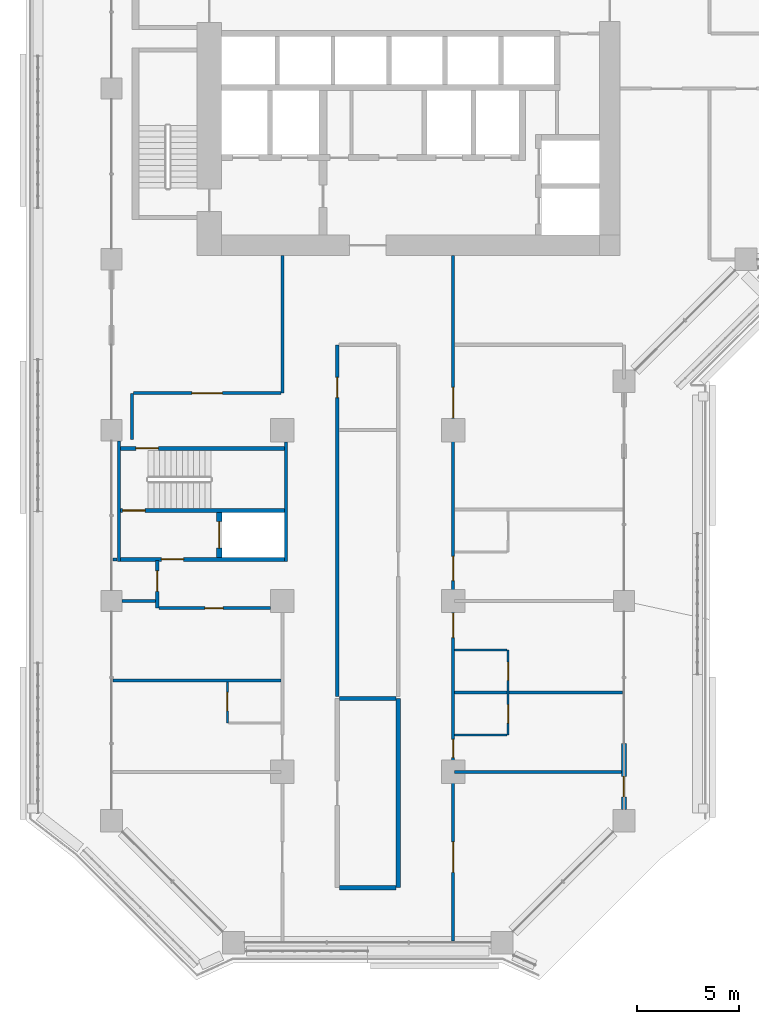
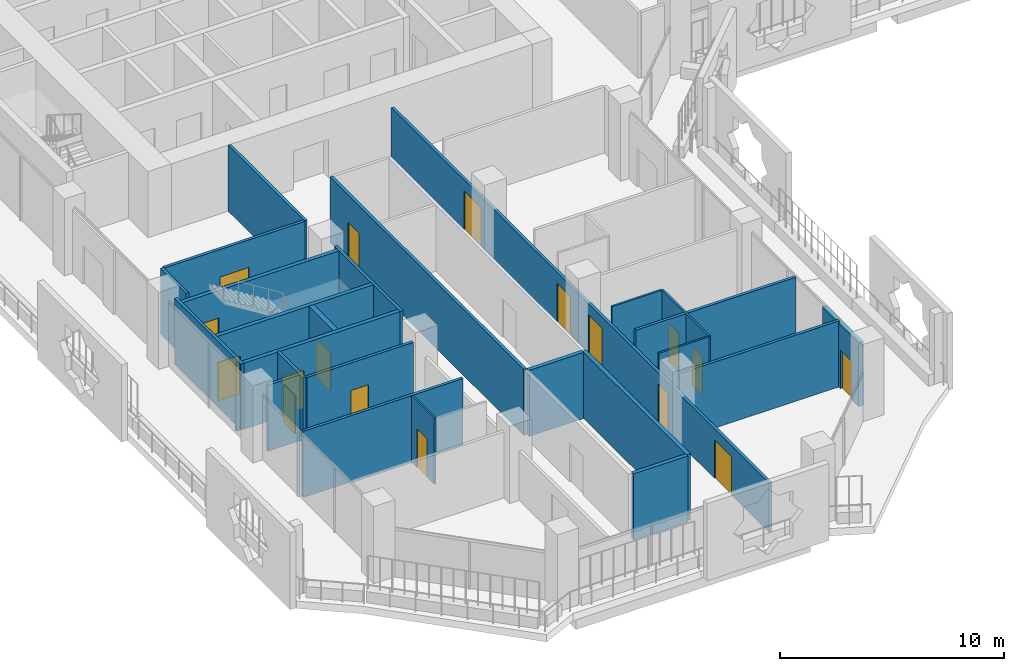
# One storey, part 12 of 25: 26 walls, 17 doors, 17 openings.
"""IFC4 building model written with IfcOpenShell, lengths in metres."""

from ifc_helpers import new_model, si_unit, direction, frame, frame_2d, origin, place, context, subcontext, project, spatial, rectangle, extrude, material, layer, layer_set, type_object, element, fill, save


model = new_model("IFC4")

# Units and contexts
model_context = context("Model", 3, precision=1e-05, world=origin(), true_north=direction((0.0, 1.0)))
body_context = subcontext(model_context, "Body", "Model", "MODEL_VIEW")
ifc_project = project(units=[si_unit("LENGTHUNIT", "METRE"), si_unit("AREAUNIT", "SQUARE_METRE"), si_unit("VOLUMEUNIT", "CUBIC_METRE"), si_unit("PLANEANGLEUNIT", "RADIAN"), si_unit("MASSUNIT", "GRAM", prefix="KILO")], contexts=[model_context])

# Site, building, storey
site_placement = place(None, origin())
site = spatial("IfcSite", under=ifc_project, at=site_placement, CompositionType="ELEMENT")
building_placement = place(site_placement, origin())
building = spatial("IfcBuilding", under=site, at=building_placement, Name="Kawkab Arch Medical Tower", CompositionType="ELEMENT")
storey_placement = place(building_placement, frame((0.0, 0.0, 128.199951171875)))
storey = spatial("IfcBuildingStorey", under=building, at=storey_placement, Name="L29", CompositionType="ELEMENT", Elevation=128.199951171875)

# Wall, opening, door
ifc_material_1 = material(Name="Concrete C60/75", Category="concrete")
ifc_layer_1 = layer(ifc_material_1, 0.25)
ifc_layer_set_1 = layer_set([ifc_layer_1], Name="Concrete C60/75")
wall_type_1 = type_object("IfcWallType", Name="Core shear wall 250 C60/75", PredefinedType="SHEAR", material=ifc_layer_set_1)
wall_1_placement = place(storey_placement, frame((5.300048828125, -39.85009765625, 0.0), z_axis=(0.0, 0.0, 1.0), x_axis=(0.0, 1.0, 0.0)))
wall_1 = element("IfcWall", 1, at=wall_1_placement, inside=storey, type_object=wall_type_1, Name="L29 core shear wall", PredefinedType="SHEAR", context=body_context, shape_type="SweptSolid", body=[
    extrude(rectangle(XDim=2.2001953125, YDim=0.25, at=frame_2d((1.10009765625, 0.0))), origin(), (0.0, 0.0, 1.0), 3.60009765625),
])
opening_1_placement = place(wall_1_placement, frame((0.449951171875, 0.0, 0.0)))
opening_1 = element("IfcOpeningElement", 2, at=opening_1_placement, cuts=wall_1, Name="Opening LD2", PredefinedType="OPENING", context=body_context, shape_type="SweptSolid", body=[
    extrude(rectangle(XDim=1.300048828125, YDim=2.10009765625, at=frame_2d((0.64990234375, 1.050048828125))), frame((0.0, 0.135009765625, 0.0), z_axis=(0.0, -1.0, 0.0), x_axis=(1.0, 0.0, 0.0)), (0.0, 0.0, 1.0), 0.27001953125),
])
ifc_material_2 = material(Name="Stainless steel lift door leaf", Category="steel")
door_type_1 = type_object("IfcDoorType", Name="Lift landing door 1300", OperationType="DOUBLE_DOOR_SLIDING", PredefinedType="DOOR", material=ifc_material_2)
door_1_placement = place(opening_1_placement, origin())
door_1 = element("IfcDoor", 3, at=door_1_placement, inside=storey, type_object=door_type_1, Name="L29 Lift landing door SV2", OperationType="DOUBLE_DOOR_SLIDING", OverallHeight=2.10009765625, OverallWidth=1.300048828125, PredefinedType="DOOR", context=body_context, shape_type="SweptSolid", body=[
    extrude(rectangle(XDim=1.300048828125, YDim=2.10009765625, at=frame_2d((0.64990234375, 1.050048828125))), frame((0.0, 0.02490234375, 0.0), z_axis=(0.0, -1.0, 0.0), x_axis=(1.0, 0.0, 0.0)), (0.0, 0.0, 1.0), 0.050048828125),
])
fill(opening_1, door_1)

ifc_material_3 = material(Name="Bronze clad insulated wall panel")
ifc_layer_2 = layer(ifc_material_3, 0.25)
ifc_layer_set_2 = layer_set([ifc_layer_2], Name="Bronze clad insulated wall panel")
wall_type_2 = type_object("IfcWallType", Name="External wall bay 250", PredefinedType="SOLIDWALL", material=ifc_layer_set_2)
wall_2_placement = place(storey_placement, frame((25.199951171875, -52.25, 0.0), z_axis=(0.0, 0.0, 1.0), x_axis=(0.0, 1.0, 0.0)))
wall_2 = element("IfcWall", 4, at=wall_2_placement, inside=storey, type_object=wall_type_2, Name="External wall bay L29.R05.1.1", PredefinedType="SOLIDWALL", context=body_context, shape_type="SweptSolid", body=[
    extrude(rectangle(XDim=3.24169921875, YDim=0.25, at=frame_2d((1.620849609375, 0.0))), origin(), (0.0, 0.0, 1.0), 3.47998046875),
])
opening_2_placement = place(wall_2_placement, frame((0.620849609375, 0.0, 0.0)))
opening_2 = element("IfcOpeningElement", 5, at=opening_2_placement, cuts=wall_2, Name="Opening W29-702", PredefinedType="OPENING", context=body_context, shape_type="SweptSolid", body=[
    extrude(rectangle(XDim=1.0, YDim=2.10009765625, at=frame_2d((0.5, 1.050048828125))), frame((0.0, 0.135009765625, 0.0), z_axis=(0.0, -1.0, 0.0), x_axis=(1.0, 0.0, 0.0)), (0.0, 0.0, 1.0), 0.27001953125),
])
ifc_material_4 = material(Name="Bronze anodised aluminium door with tinted glass", Category="aluminium")
door_type_2 = type_object("IfcDoorType", Name="Single external door 1000 x 2100", OperationType="SINGLE_SWING_LEFT", PredefinedType="DOOR", material=ifc_material_4)
door_2_placement = place(opening_2_placement, origin())
door_2 = element("IfcDoor", 6, at=door_2_placement, inside=storey, type_object=door_type_2, Name="External door L29.R05.1.1", OperationType="SINGLE_SWING_LEFT", OverallHeight=2.10009765625, OverallWidth=1.0, PredefinedType="DOOR", context=body_context, shape_type="SweptSolid", body=[
    extrude(rectangle(XDim=1.0, YDim=2.10009765625, at=frame_2d((0.5, 1.050048828125))), frame((0.0, 0.02490234375, 0.0), z_axis=(0.0, -1.0, 0.0), x_axis=(1.0, 0.0, 0.0)), (0.0, 0.0, 1.0), 0.050048828125),
])
fill(opening_2, door_2)

# Walls
ifc_material_5 = material(Name="Gypsum board partition on steel studs", Category="steel")
ifc_layer_3 = layer(ifc_material_5, 0.10009765625)
ifc_layer_set_3 = layer_set([ifc_layer_3], Name="Gypsum board partition on steel studs")
wall_type_3 = type_object("IfcWallType", Name="Partition 100", PredefinedType="PARTITIONING", material=ifc_layer_set_3)
for number, where, z_axis, x_axis, name in (
    (7, (16.875, -48.60009765625, 0.0), (0.0, 0.0, 1.0), (1.0, 0.0, 0.0), "Partition 100 w001"),
    (8, (16.875, -44.39990234375, 0.0), (0.0, 0.0, 1.0), (1.0, 0.0, 0.0), "Partition 100 w003"),
):
    element("IfcWall", number, at=place(storey_placement, frame(where, z_axis=z_axis, x_axis=x_axis)), inside=storey, type_object=wall_type_3, Name=name, PredefinedType="PARTITIONING", context=body_context, shape_type="SweptSolid", body=[
        extrude(rectangle(XDim=2.574951171875, YDim=0.10009765625, at=frame_2d((1.28759765625, 0.0))), origin(), (0.0, 0.0, 1.0), 3.60009765625),
    ])

# Wall, opening, door
wall_3_placement = place(storey_placement, frame((5.699951171875, -48.0, 0.0), z_axis=(0.0, 0.0, 1.0), x_axis=(0.0, 1.0, 0.0)))
wall_3 = element("IfcWall", 9, at=wall_3_placement, inside=storey, type_object=wall_type_3, Name="Partition 100 w011", PredefinedType="PARTITIONING", context=body_context, shape_type="SweptSolid", body=[
    extrude(rectangle(XDim=2.02490234375, YDim=0.10009765625, at=frame_2d((1.012451171875, 0.0))), origin(), (0.0, 0.0, 1.0), 3.60009765625),
])
opening_3_placement = place(wall_3_placement, frame((0.60009765625, 0.0, 0.0)))
opening_3 = element("IfcOpeningElement", 10, at=opening_3_placement, cuts=wall_3, Name="Opening W29-019", PredefinedType="OPENING", context=body_context, shape_type="SweptSolid", body=[
    extrude(rectangle(XDim=0.89990234375, YDim=2.10009765625, at=frame_2d((0.449951171875, 1.050048828125))), frame((0.0, 0.06005859375, 0.0), z_axis=(0.0, -1.0, 0.0), x_axis=(1.0, 0.0, 0.0)), (0.0, 0.0, 1.0), 0.1201171875),
])
ifc_material_6 = material(Name="Timber door leaf", Category="wood")
door_type_3 = type_object("IfcDoorType", Name="Single door 900x2100", OperationType="NOTDEFINED", PredefinedType="DOOR", material=ifc_material_6)
door_3_placement = place(opening_3_placement, origin())
door_3 = element("IfcDoor", 11, at=door_3_placement, inside=storey, type_object=door_type_3, Name="Door W29-019", OperationType="SINGLE_SWING_RIGHT", OverallHeight=2.10009765625, OverallWidth=0.89990234375, PredefinedType="DOOR", context=body_context, shape_type="SweptSolid", body=[
    extrude(rectangle(XDim=0.89990234375, YDim=2.10009765625, at=frame_2d((0.449951171875, 1.050048828125))), frame((0.0, 0.02490234375, 0.0), z_axis=(0.0, -1.0, 0.0), x_axis=(1.0, 0.0, 0.0)), (0.0, 0.0, 1.0), 0.050048828125),
])
fill(opening_3, door_3)

# Wall, openings, doors
wall_4_placement = place(storey_placement, frame((19.5, -48.60009765625, 0.0), z_axis=(0.0, 0.0, 1.0), x_axis=(0.0, 1.0, 0.0)))
wall_4 = element("IfcWall", 12, at=wall_4_placement, inside=storey, type_object=wall_type_3, Name="Partition 100 w012", PredefinedType="PARTITIONING", context=body_context, shape_type="SweptSolid", body=[
    extrude(rectangle(XDim=4.2001953125, YDim=0.10009765625, at=frame_2d((2.10009765625, 0.0))), origin(), (0.0, 0.0, 1.0), 3.60009765625),
])
opening_4_placement = place(wall_4_placement, frame((2.699951171875, 0.0, 0.0)))
opening_4 = element("IfcOpeningElement", 13, at=opening_4_placement, cuts=wall_4, Name="Opening W29-021", PredefinedType="OPENING", context=body_context, shape_type="SweptSolid", body=[
    extrude(rectangle(XDim=0.89990234375, YDim=2.10009765625, at=frame_2d((0.449951171875, 1.050048828125))), frame((0.0, 0.06005859375, 0.0), z_axis=(0.0, -1.0, 0.0), x_axis=(1.0, 0.0, 0.0)), (0.0, 0.0, 1.0), 0.1201171875),
])
opening_5_placement = place(wall_4_placement, frame((0.60009765625, 0.0, 0.0)))
opening_5 = element("IfcOpeningElement", 14, at=opening_5_placement, cuts=wall_4, Name="Opening W29-022", PredefinedType="OPENING", context=body_context, shape_type="SweptSolid", body=[
    extrude(rectangle(XDim=0.89990234375, YDim=2.10009765625, at=frame_2d((0.449951171875, 1.050048828125))), frame((0.0, 0.06005859375, 0.0), z_axis=(0.0, -1.0, 0.0), x_axis=(1.0, 0.0, 0.0)), (0.0, 0.0, 1.0), 0.1201171875),
])
door_4_placement = place(opening_4_placement, origin())
door_4 = element("IfcDoor", 15, at=door_4_placement, inside=storey, type_object=door_type_3, Name="Door W29-021", OperationType="SINGLE_SWING_LEFT", OverallHeight=2.10009765625, OverallWidth=0.89990234375, PredefinedType="DOOR", context=body_context, shape_type="SweptSolid", body=[
    extrude(rectangle(XDim=0.89990234375, YDim=2.10009765625, at=frame_2d((0.449951171875, 1.050048828125))), frame((0.0, 0.02490234375, 0.0), z_axis=(0.0, -1.0, 0.0), x_axis=(1.0, 0.0, 0.0)), (0.0, 0.0, 1.0), 0.050048828125),
])
fill(opening_4, door_4)
door_5_placement = place(opening_5_placement, origin())
door_5 = element("IfcDoor", 16, at=door_5_placement, inside=storey, type_object=door_type_3, Name="Door W29-022", OperationType="SINGLE_SWING_RIGHT", OverallHeight=2.10009765625, OverallWidth=0.89990234375, PredefinedType="DOOR", context=body_context, shape_type="SweptSolid", body=[
    extrude(rectangle(XDim=0.89990234375, YDim=2.10009765625, at=frame_2d((0.449951171875, 1.050048828125))), frame((0.0, 0.02490234375, 0.0), z_axis=(0.0, -1.0, 0.0), x_axis=(1.0, 0.0, 0.0)), (0.0, 0.0, 1.0), 0.050048828125),
])
fill(opening_5, door_5)

# Walls
ifc_material_7 = material(Name="Gypsum board partition on steel studs, mineral wool", Category="steel")
ifc_layer_4 = layer(ifc_material_7, 0.14990234375)
ifc_layer_set_4 = layer_set([ifc_layer_4], Name="Gypsum board partition on steel studs, mineral wool")
wall_type_4 = type_object("IfcWallType", Name="Partition 150", PredefinedType="PARTITIONING", material=ifc_layer_set_4)
for number, where, z_axis, x_axis, name in (
    (17, (16.875, -50.39990234375, 0.0), (0.0, 0.0, 1.0), (1.0, 0.0, 0.0), "Partition 150 w023"),
    (18, (16.875, -46.5, 0.0), (0.0, 0.0, 1.0), (1.0, 0.0, 0.0), "Partition 150 w024"),
):
    element("IfcWall", number, at=place(storey_placement, frame(where, z_axis=z_axis, x_axis=x_axis)), inside=storey, type_object=wall_type_4, Name=name, PredefinedType="PARTITIONING", context=body_context, shape_type="SweptSolid", body=[
        extrude(rectangle(XDim=8.2451171875, YDim=0.14990234375, at=frame_2d((4.12255859375, 0.0))), origin(), (0.0, 0.0, 1.0), 3.60009765625),
    ])
wall_5_placement = place(storey_placement, frame((0.080078125, -45.89990234375, 0.0), z_axis=(0.0, 0.0, 1.0), x_axis=(1.0, 0.0, 0.0)))
element("IfcWall", 19, at=wall_5_placement, inside=storey, type_object=wall_type_4, Name="Partition 150 w025", PredefinedType="PARTITIONING", context=body_context, shape_type="SweptSolid", body=[
    extrude(rectangle(XDim=8.244873046875, YDim=0.14990234375, at=frame_2d((4.12255859375, 0.0))), origin(), (0.0, 0.0, 1.0), 3.60009765625),
])

# Wall, opening, door
wall_6_placement = place(storey_placement, frame((2.326904296875, -42.35009765625, 0.0), z_axis=(0.0, 0.0, 1.0), x_axis=(1.0, 0.0, 0.0)))
wall_6 = element("IfcWall", 20, at=wall_6_placement, inside=storey, type_object=wall_type_4, Name="Partition 150 w026", PredefinedType="PARTITIONING", context=body_context, shape_type="SweptSolid", body=[
    extrude(rectangle(XDim=5.498046875, YDim=0.14990234375, at=frame_2d((2.7490234375, 0.0))), origin(), (0.0, 0.0, 1.0), 3.60009765625),
])
opening_6_placement = place(wall_6_placement, frame((2.260986328125, 0.0, 0.0)))
opening_6 = element("IfcOpeningElement", 21, at=opening_6_placement, cuts=wall_6, Name="Opening W29-018", PredefinedType="OPENING", context=body_context, shape_type="SweptSolid", body=[
    extrude(rectangle(XDim=0.89990234375, YDim=2.10009765625, at=frame_2d((0.449951171875, 1.050048828125))), frame((0.0, 0.0849609375, 0.0), z_axis=(0.0, -1.0, 0.0), x_axis=(1.0, 0.0, 0.0)), (0.0, 0.0, 1.0), 0.169921875),
])
door_6_placement = place(opening_6_placement, origin())
door_6 = element("IfcDoor", 22, at=door_6_placement, inside=storey, type_object=door_type_3, Name="Door W29-018", OperationType="SINGLE_SWING_LEFT", OverallHeight=2.10009765625, OverallWidth=0.89990234375, PredefinedType="DOOR", context=body_context, shape_type="SweptSolid", body=[
    extrude(rectangle(XDim=0.89990234375, YDim=2.10009765625, at=frame_2d((0.449951171875, 1.050048828125))), frame((0.0, 0.02490234375, 0.0), z_axis=(0.0, -1.0, 0.0), x_axis=(1.0, 0.0, 0.0)), (0.0, 0.0, 1.0), 0.050048828125),
])
fill(opening_6, door_6)

# Walls
wall_7_placement = place(storey_placement, frame((0.52490234375, -42.0, 0.0), z_axis=(0.0, 0.0, 1.0), x_axis=(1.0, 0.0, 0.0)))
element("IfcWall", 23, at=wall_7_placement, inside=storey, type_object=wall_type_4, Name="Partition 150 w027", PredefinedType="PARTITIONING", context=body_context, shape_type="SweptSolid", body=[
    extrude(rectangle(XDim=1.650146484375, YDim=0.14990234375, at=frame_2d((0.8251953125, 0.0))), origin(), (0.0, 0.0, 1.0), 3.60009765625),
])
wall_8_placement = place(storey_placement, frame((0.080078125, -39.949951171875, 0.0), z_axis=(0.0, 0.0, 1.0), x_axis=(1.0, 0.0, 0.0)))
element("IfcWall", 24, at=wall_8_placement, inside=storey, type_object=wall_type_4, Name="Partition 150 w029", PredefinedType="PARTITIONING", context=body_context, shape_type="SweptSolid", body=[
    extrude(rectangle(XDim=0.18994140625, YDim=0.14990234375, at=frame_2d((0.094970703125, 0.0))), origin(), (0.0, 0.0, 1.0), 3.60009765625),
])

# Wall, opening, door
wall_9_placement = place(storey_placement, frame((1.0791015625, -31.781982421875, 0.0), z_axis=(0.0, 0.0, 1.0), x_axis=(1.0, 0.0, 0.0)))
wall_9 = element("IfcWall", 25, at=wall_9_placement, inside=storey, type_object=wall_type_4, Name="Partition 150 w032", PredefinedType="PARTITIONING", context=body_context, shape_type="SweptSolid", body=[
    extrude(rectangle(XDim=7.245849609375, YDim=0.14990234375, at=frame_2d((3.623046875, 0.0))), origin(), (0.0, 0.0, 1.0), 3.60009765625),
])
opening_7_placement = place(wall_9_placement, frame((2.873046875, 0.0, 0.0)))
opening_7 = element("IfcOpeningElement", 26, at=opening_7_placement, cuts=wall_9, Name="Opening W29-005", PredefinedType="OPENING", context=body_context, shape_type="SweptSolid", body=[
    extrude(rectangle(XDim=1.5, YDim=2.10009765625, at=frame_2d((0.75, 1.050048828125))), frame((0.0, 0.0849609375, 0.0), z_axis=(0.0, -1.0, 0.0), x_axis=(1.0, 0.0, 0.0)), (0.0, 0.0, 1.0), 0.169921875),
])
ifc_material_8 = material(Name="Hollow metal door leaf")
door_type_4 = type_object("IfcDoorType", Name="Double door 1500x2100 FD30S", OperationType="NOTDEFINED", PredefinedType="DOOR", material=ifc_material_8)
door_7_placement = place(opening_7_placement, origin())
door_7 = element("IfcDoor", 27, at=door_7_placement, inside=storey, type_object=door_type_4, Name="Door W29-005", OperationType="DOUBLE_DOOR_SINGLE_SWING", OverallHeight=2.10009765625, OverallWidth=1.5, PredefinedType="DOOR", context=body_context, shape_type="SweptSolid", body=[
    extrude(rectangle(XDim=1.5, YDim=2.10009765625, at=frame_2d((0.75, 1.050048828125))), frame((0.0, 0.02490234375, 0.0), z_axis=(0.0, -1.0, 0.0), x_axis=(1.0, 0.0, 0.0)), (0.0, 0.0, 1.0), 0.050048828125),
])
fill(opening_7, door_7)

# Wall
wall_10_placement = place(storey_placement, frame((1.0, -34.048095703125, 0.0), z_axis=(0.0, 0.0, 1.0), x_axis=(0.0, 1.0, 0.0)))
element("IfcWall", 28, at=wall_10_placement, inside=storey, type_object=wall_type_4, Name="Partition 150 w051", PredefinedType="PARTITIONING", context=body_context, shape_type="SweptSolid", body=[
    extrude(rectangle(XDim=2.26318359375, YDim=0.14990234375, at=frame_2d((1.131591796875, 0.0))), origin(), (0.0, 0.0, 1.0), 3.60009765625),
])

# Wall, opening, door
wall_11_placement = place(storey_placement, frame((2.25, -42.347900390625, 0.0), z_axis=(0.0, 0.0, 1.0), x_axis=(0.0, 1.0, 0.0)))
wall_11 = element("IfcWall", 29, at=wall_11_placement, inside=storey, type_object=wall_type_4, Name="Partition 150 w052", PredefinedType="PARTITIONING", context=body_context, shape_type="SweptSolid", body=[
    extrude(rectangle(XDim=2.347900390625, YDim=0.14990234375, at=frame_2d((1.173828125, 0.0))), origin(), (0.0, 0.0, 1.0), 3.60009765625),
])
opening_8_placement = place(wall_11_placement, frame((0.822998046875, 0.0, 0.0)))
opening_8 = element("IfcOpeningElement", 30, at=opening_8_placement, cuts=wall_11, Name="Opening W29-031", PredefinedType="OPENING", context=body_context, shape_type="SweptSolid", body=[
    extrude(rectangle(XDim=1.0, YDim=2.10009765625, at=frame_2d((0.5, 1.050048828125))), frame((0.0, 0.0849609375, 0.0), z_axis=(0.0, -1.0, 0.0), x_axis=(1.0, 0.0, 0.0)), (0.0, 0.0, 1.0), 0.169921875),
])
ifc_material_9 = material(Name="Hollow metal door leaf")
door_type_5 = type_object("IfcDoorType", Name="Single door 1000x2100 FD30S", OperationType="NOTDEFINED", PredefinedType="DOOR", material=ifc_material_9)
door_8_placement = place(opening_8_placement, origin())
door_8 = element("IfcDoor", 31, at=door_8_placement, inside=storey, type_object=door_type_5, Name="Door W29-031", OperationType="SINGLE_SWING_LEFT", OverallHeight=2.10009765625, OverallWidth=1.0, PredefinedType="DOOR", context=body_context, shape_type="SweptSolid", body=[
    extrude(rectangle(XDim=1.0, YDim=2.10009765625, at=frame_2d((0.5, 1.050048828125))), frame((0.0, 0.02490234375, 0.0), z_axis=(0.0, -1.0, 0.0), x_axis=(1.0, 0.0, 0.0)), (0.0, 0.0, 1.0), 0.050048828125),
])
fill(opening_8, door_8)

# Wall
wall_12_placement = place(storey_placement, frame((8.39990234375, -31.781982421875, 0.0), z_axis=(0.0, 0.0, 1.0), x_axis=(0.0, 1.0, 0.0)))
element("IfcWall", 32, at=wall_12_placement, inside=storey, type_object=wall_type_4, Name="Partition 150 w054", PredefinedType="PARTITIONING", context=body_context, shape_type="SweptSolid", body=[
    extrude(rectangle(XDim=6.781982421875, YDim=0.14990234375, at=frame_2d((3.39111328125, 0.0))), origin(), (0.0, 0.0, 1.0), 3.60009765625),
])

# Wall, opening, door
wall_13_placement = place(storey_placement, frame((11.10009765625, -46.699951171875, 0.0), z_axis=(0.0, 0.0, 1.0), x_axis=(0.0, 1.0, 0.0)))
wall_13 = element("IfcWall", 33, at=wall_13_placement, inside=storey, type_object=wall_type_4, Name="Partition 150 w055", PredefinedType="PARTITIONING", context=body_context, shape_type="SweptSolid", body=[
    extrude(rectangle(XDim=17.300048828125, YDim=0.14990234375, at=frame_2d((8.64990234375, 0.0))), origin(), (0.0, 0.0, 1.0), 3.60009765625),
])
opening_9_placement = place(wall_13_placement, frame((14.699951171875, 0.0, 0.0)))
opening_9 = element("IfcOpeningElement", 34, at=opening_9_placement, cuts=wall_13, Name="Opening W29-032", PredefinedType="OPENING", context=body_context, shape_type="SweptSolid", body=[
    extrude(rectangle(XDim=1.0, YDim=2.10009765625, at=frame_2d((0.5, 1.050048828125))), frame((0.0, 0.0849609375, 0.0), z_axis=(0.0, -1.0, 0.0), x_axis=(1.0, 0.0, 0.0)), (0.0, 0.0, 1.0), 0.169921875),
])
door_9_placement = place(opening_9_placement, origin())
door_9 = element("IfcDoor", 35, at=door_9_placement, inside=storey, type_object=door_type_5, Name="Door W29-032", OperationType="SINGLE_SWING_LEFT", OverallHeight=2.10009765625, OverallWidth=1.0, PredefinedType="DOOR", context=body_context, shape_type="SweptSolid", body=[
    extrude(rectangle(XDim=1.0, YDim=2.10009765625, at=frame_2d((0.5, 1.050048828125))), frame((0.0, 0.02490234375, 0.0), z_axis=(0.0, -1.0, 0.0), x_axis=(1.0, 0.0, 0.0)), (0.0, 0.0, 1.0), 0.050048828125),
])
fill(opening_9, door_9)

# Wall, openings, doors
wall_14_placement = place(storey_placement, frame((16.800048828125, -58.719970703125, 0.0), z_axis=(0.0, 0.0, 1.0), x_axis=(0.0, 1.0, 0.0)))
wall_14 = element("IfcWall", 36, at=wall_14_placement, inside=storey, type_object=wall_type_4, Name="Partition 150 w057", PredefinedType="PARTITIONING", context=body_context, shape_type="SweptSolid", body=[
    extrude(rectangle(XDim=33.719970703125, YDim=0.14990234375, at=frame_2d((16.85986328125, 0.0))), origin(), (0.0, 0.0, 1.0), 2.699951171875),
])
opening_10_placement = place(wall_14_placement, frame((25.719970703125, 0.0, 0.0)))
opening_10 = element("IfcOpeningElement", 37, at=opening_10_placement, cuts=wall_14, Name="Opening W29-007", PredefinedType="OPENING", context=body_context, shape_type="SweptSolid", body=[
    extrude(rectangle(XDim=1.5, YDim=2.10009765625, at=frame_2d((0.75, 1.050048828125))), frame((0.0, 0.0849609375, 0.0), z_axis=(0.0, -1.0, 0.0), x_axis=(1.0, 0.0, 0.0)), (0.0, 0.0, 1.0), 0.169921875),
])
opening_11_placement = place(wall_14_placement, frame((17.719970703125, 0.0, 0.0)))
opening_11 = element("IfcOpeningElement", 38, at=opening_11_placement, cuts=wall_14, Name="Opening W29-046", PredefinedType="OPENING", context=body_context, shape_type="SweptSolid", body=[
    extrude(rectangle(XDim=1.199951171875, YDim=2.10009765625, at=frame_2d((0.60009765625, 1.050048828125))), frame((0.0, 0.0849609375, 0.0), z_axis=(0.0, -1.0, 0.0), x_axis=(1.0, 0.0, 0.0)), (0.0, 0.0, 1.0), 0.169921875),
])
opening_12_placement = place(wall_14_placement, frame((14.919921875, 0.0, 0.0)))
opening_12 = element("IfcOpeningElement", 39, at=opening_12_placement, cuts=wall_14, Name="Opening W29-047", PredefinedType="OPENING", context=body_context, shape_type="SweptSolid", body=[
    extrude(rectangle(XDim=1.199951171875, YDim=2.10009765625, at=frame_2d((0.60009765625, 1.050048828125))), frame((0.0, 0.0849609375, 0.0), z_axis=(0.0, -1.0, 0.0), x_axis=(1.0, 0.0, 0.0)), (0.0, 0.0, 1.0), 0.169921875),
])
opening_13_placement = place(wall_14_placement, frame((9.02001953125, 0.0, 0.0)))
opening_13 = element("IfcOpeningElement", 40, at=opening_13_placement, cuts=wall_14, Name="Opening W29-024", PredefinedType="OPENING", context=body_context, shape_type="SweptSolid", body=[
    extrude(rectangle(XDim=0.89990234375, YDim=2.10009765625, at=frame_2d((0.449951171875, 1.050048828125))), frame((0.0, 0.0849609375, 0.0), z_axis=(0.0, -1.0, 0.0), x_axis=(1.0, 0.0, 0.0)), (0.0, 0.0, 1.0), 0.169921875),
])
opening_14_placement = place(wall_14_placement, frame((3.3701171875, 0.0, 0.0)))
opening_14 = element("IfcOpeningElement", 41, at=opening_14_placement, cuts=wall_14, Name="Opening W29-008", PredefinedType="OPENING", context=body_context, shape_type="SweptSolid", body=[
    extrude(rectangle(XDim=1.5, YDim=2.10009765625, at=frame_2d((0.75, 1.050048828125))), frame((0.0, 0.0849609375, 0.0), z_axis=(0.0, -1.0, 0.0), x_axis=(1.0, 0.0, 0.0)), (0.0, 0.0, 1.0), 0.169921875),
])
door_10_placement = place(opening_10_placement, origin())
door_10 = element("IfcDoor", 42, at=door_10_placement, inside=storey, type_object=door_type_4, Name="Door W29-007", OperationType="DOUBLE_DOOR_SINGLE_SWING", OverallHeight=2.10009765625, OverallWidth=1.5, PredefinedType="DOOR", context=body_context, shape_type="SweptSolid", body=[
    extrude(rectangle(XDim=1.5, YDim=2.10009765625, at=frame_2d((0.75, 1.050048828125))), frame((0.0, 0.02490234375, 0.0), z_axis=(0.0, -1.0, 0.0), x_axis=(1.0, 0.0, 0.0)), (0.0, 0.0, 1.0), 0.050048828125),
])
fill(opening_10, door_10)
door_11_placement = place(opening_14_placement, origin())
door_11 = element("IfcDoor", 43, at=door_11_placement, inside=storey, type_object=door_type_4, Name="Door W29-008", OperationType="DOUBLE_DOOR_SINGLE_SWING", OverallHeight=2.10009765625, OverallWidth=1.5, PredefinedType="DOOR", context=body_context, shape_type="SweptSolid", body=[
    extrude(rectangle(XDim=1.5, YDim=2.10009765625, at=frame_2d((0.75, 1.050048828125))), frame((0.0, 0.02490234375, 0.0), z_axis=(0.0, -1.0, 0.0), x_axis=(1.0, 0.0, 0.0)), (0.0, 0.0, 1.0), 0.050048828125),
])
fill(opening_14, door_11)
ifc_material_10 = material(Name="Hollow metal door leaf")
door_type_6 = type_object("IfcDoorType", Name="Single door 1200x2100 FD30S", OperationType="NOTDEFINED", PredefinedType="DOOR", material=ifc_material_10)
door_12_placement = place(opening_11_placement, origin())
door_12 = element("IfcDoor", 44, at=door_12_placement, inside=storey, type_object=door_type_6, Name="Door W29-046", OperationType="SINGLE_SWING_LEFT", OverallHeight=2.10009765625, OverallWidth=1.199951171875, PredefinedType="DOOR", context=body_context, shape_type="SweptSolid", body=[
    extrude(rectangle(XDim=1.199951171875, YDim=2.10009765625, at=frame_2d((0.60009765625, 1.050048828125))), frame((0.0, 0.02490234375, 0.0), z_axis=(0.0, -1.0, 0.0), x_axis=(1.0, 0.0, 0.0)), (0.0, 0.0, 1.0), 0.050048828125),
])
fill(opening_11, door_12)
door_13_placement = place(opening_12_placement, origin())
door_13 = element("IfcDoor", 45, at=door_13_placement, inside=storey, type_object=door_type_6, Name="Door W29-047", OperationType="SINGLE_SWING_RIGHT", OverallHeight=2.10009765625, OverallWidth=1.199951171875, PredefinedType="DOOR", context=body_context, shape_type="SweptSolid", body=[
    extrude(rectangle(XDim=1.199951171875, YDim=2.10009765625, at=frame_2d((0.60009765625, 1.050048828125))), frame((0.0, 0.02490234375, 0.0), z_axis=(0.0, -1.0, 0.0), x_axis=(1.0, 0.0, 0.0)), (0.0, 0.0, 1.0), 0.050048828125),
])
fill(opening_12, door_13)
ifc_material_11 = material(Name="Hollow metal door leaf")
door_type_7 = type_object("IfcDoorType", Name="Single door 900x2100 FD30S", OperationType="NOTDEFINED", PredefinedType="DOOR", material=ifc_material_11)
door_14_placement = place(opening_13_placement, origin())
door_14 = element("IfcDoor", 46, at=door_14_placement, inside=storey, type_object=door_type_7, Name="Door W29-024", OperationType="SINGLE_SWING_RIGHT", OverallHeight=2.10009765625, OverallWidth=0.89990234375, PredefinedType="DOOR", context=body_context, shape_type="SweptSolid", body=[
    extrude(rectangle(XDim=0.89990234375, YDim=2.10009765625, at=frame_2d((0.449951171875, 1.050048828125))), frame((0.0, 0.02490234375, 0.0), z_axis=(0.0, -1.0, 0.0), x_axis=(1.0, 0.0, 0.0)), (0.0, 0.0, 1.0), 0.050048828125),
])
fill(opening_13, door_14)

# Walls
ifc_material_12 = material(Name="Fire-rated gypsum board partition on steel studs", Category="steel")
ifc_layer_5 = layer(ifc_material_12, 0.199951171875)
ifc_layer_set_5 = layer_set([ifc_layer_5], Name="Fire-rated gypsum board partition on steel studs")
wall_type_5 = type_object("IfcWallType", Name="Protected partition 200", PredefinedType="PARTITIONING", material=ifc_layer_set_5)
for number, where, z_axis, x_axis, name in (
    (47, (11.199951171875, -56.10009765625, 0.0), (0.0, 0.0, 1.0), (1.0, 0.0, 0.0), "Protected partition 200 w082"),
    (48, (11.199951171875, -46.800048828125, 0.0), (0.0, 0.0, 1.0), (1.0, 0.0, 0.0), "Protected partition 200 w083"),
):
    element("IfcWall", number, at=place(storey_placement, frame(where, z_axis=z_axis, x_axis=x_axis)), inside=storey, type_object=wall_type_5, Name=name, PredefinedType="PARTITIONING", context=body_context, shape_type="SweptSolid", body=[
        extrude(rectangle(XDim=2.800048828125, YDim=0.199951171875, at=frame_2d((1.39990234375, 0.0))), origin(), (0.0, 0.0, 1.0), 3.60009765625),
    ])
wall_15_placement = place(storey_placement, frame((14.10009765625, -56.10009765625, 0.0), z_axis=(0.0, 0.0, 1.0), x_axis=(0.0, 1.0, 0.0)))
element("IfcWall", 49, at=wall_15_placement, inside=storey, type_object=wall_type_5, Name="Protected partition 200 w089", PredefinedType="PARTITIONING", context=body_context, shape_type="SweptSolid", body=[
    extrude(rectangle(XDim=9.300048828125, YDim=0.199951171875, at=frame_2d((4.64990234375, 0.0))), origin(), (0.0, 0.0, 1.0), 3.60009765625),
])
ifc_material_13 = material(Name="Concrete C50/60", Category="concrete")
ifc_layer_6 = layer(ifc_material_13, 0.14990234375)
ifc_layer_set_6 = layer_set([ifc_layer_6], Name="Concrete C50/60")
wall_type_6 = type_object("IfcWallType", Name="Stair enclosure wall 150 C50/60", PredefinedType="SHEAR", material=ifc_layer_set_6)
wall_16_placement = place(storey_placement, frame((0.375, -40.050048828125, 0.0), z_axis=(0.0, 0.0, 1.0), x_axis=(0.0, 1.0, 0.0)))
element("IfcWall", 50, at=wall_16_placement, inside=storey, type_object=wall_type_6, Name="L29 stair enclosure wall", PredefinedType="SHEAR", context=body_context, shape_type="SweptSolid", body=[
    extrude(rectangle(XDim=5.925048828125, YDim=0.14990234375, at=frame_2d((2.96240234375, 0.0))), origin(), (0.0, 0.0, 1.0), 3.60009765625),
])
wall_17_placement = place(storey_placement, frame((8.574951171875, -40.050048828125, 0.0), z_axis=(0.0, 0.0, 1.0), x_axis=(0.0, 1.0, 0.0)))
element("IfcWall", 51, at=wall_17_placement, inside=storey, type_object=wall_type_6, Name="L29 stair enclosure wall", PredefinedType="SHEAR", context=body_context, shape_type="SweptSolid", body=[
    extrude(rectangle(XDim=5.875, YDim=0.14990234375, at=frame_2d((2.9375, 0.0))), origin(), (0.0, 0.0, 1.0), 3.60009765625),
])

# Wall, opening, door
ifc_material_14 = material(Name="Concrete C50/60", Category="concrete")
ifc_layer_7 = layer(ifc_material_14, 0.199951171875)
ifc_layer_set_7 = layer_set([ifc_layer_7], Name="Concrete C50/60")
wall_type_7 = type_object("IfcWallType", Name="Stair enclosure wall 200 C50/60", PredefinedType="SHEAR", material=ifc_layer_set_7)
wall_18_placement = place(storey_placement, frame((0.449951171875, -34.5, 0.0), z_axis=(0.0, 0.0, 1.0), x_axis=(1.0, 0.0, 0.0)))
wall_18 = element("IfcWall", 52, at=wall_18_placement, inside=storey, type_object=wall_type_7, Name="L29 stair enclosure wall", PredefinedType="SHEAR", context=body_context, shape_type="SweptSolid", body=[
    extrude(rectangle(XDim=8.050048828125, YDim=0.199951171875, at=frame_2d((4.02490234375, 0.0))), origin(), (0.0, 0.0, 1.0), 3.60009765625),
])
opening_15_placement = place(wall_18_placement, frame((0.75, 0.0, 0.0)))
opening_15 = element("IfcOpeningElement", 53, at=opening_15_placement, cuts=wall_18, Name="Opening SD", PredefinedType="OPENING", context=body_context, shape_type="SweptSolid", body=[
    extrude(rectangle(XDim=1.10009765625, YDim=2.10009765625, at=frame_2d((0.550048828125, 1.050048828125))), frame((0.0, 0.10986328125, 0.0), z_axis=(0.0, -1.0, 0.0), x_axis=(1.0, 0.0, 0.0)), (0.0, 0.0, 1.0), 0.219970703125),
])
ifc_material_15 = material(Name="Hollow metal fire door leaf")
door_type_8 = type_object("IfcDoorType", Name="Exit stair door 1100", OperationType="SINGLE_SWING_LEFT", PredefinedType="DOOR", material=ifc_material_15)
door_15_placement = place(opening_15_placement, origin())
door_15 = element("IfcDoor", 54, at=door_15_placement, inside=storey, type_object=door_type_8, Name="L29 Exit stair ST6 door", OperationType="SINGLE_SWING_LEFT", OverallHeight=2.10009765625, OverallWidth=1.10009765625, PredefinedType="DOOR", context=body_context, shape_type="SweptSolid", body=[
    extrude(rectangle(XDim=1.10009765625, YDim=2.10009765625, at=frame_2d((0.550048828125, 1.050048828125))), frame((0.0, 0.02490234375, 0.0), z_axis=(0.0, -1.0, 0.0), x_axis=(1.0, 0.0, 0.0)), (0.0, 0.0, 1.0), 0.050048828125),
])
fill(opening_15, door_15)

wall_19_placement = place(storey_placement, frame((0.449951171875, -37.550048828125, 0.0), z_axis=(0.0, 0.0, 1.0), x_axis=(1.0, 0.0, 0.0)))
wall_19 = element("IfcWall", 55, at=wall_19_placement, inside=storey, type_object=wall_type_7, Name="L29 stair enclosure wall", PredefinedType="SHEAR", context=body_context, shape_type="SweptSolid", body=[
    extrude(rectangle(XDim=8.050048828125, YDim=0.199951171875, at=frame_2d((4.02490234375, 0.0))), origin(), (0.0, 0.0, 1.0), 3.60009765625),
])
opening_16_placement = place(wall_19_placement, frame((0.10009765625, 0.0, 0.0)))
opening_16 = element("IfcOpeningElement", 56, at=opening_16_placement, cuts=wall_19, Name="Opening SD", PredefinedType="OPENING", context=body_context, shape_type="SweptSolid", body=[
    extrude(rectangle(XDim=1.10009765625, YDim=2.10009765625, at=frame_2d((0.550048828125, 1.050048828125))), frame((0.0, 0.10986328125, 0.0), z_axis=(0.0, -1.0, 0.0), x_axis=(1.0, 0.0, 0.0)), (0.0, 0.0, 1.0), 0.219970703125),
])
door_16_placement = place(opening_16_placement, frame((1.10009765625, 0.0, 0.0), z_axis=(0.0, 0.0, 1.0), x_axis=(-1.0, 0.0, 0.0)))
door_16 = element("IfcDoor", 57, at=door_16_placement, inside=storey, type_object=door_type_8, Name="L29 Exit stair ST6 lobby door", OperationType="SINGLE_SWING_LEFT", OverallHeight=2.10009765625, OverallWidth=1.10009765625, PredefinedType="DOOR", context=body_context, shape_type="SweptSolid", body=[
    extrude(rectangle(XDim=1.10009765625, YDim=2.10009765625, at=frame_2d((0.550048828125, 1.050048828125))), frame((0.0, 0.02490234375, 0.0), z_axis=(0.0, -1.0, 0.0), x_axis=(1.0, 0.0, 0.0)), (0.0, 0.0, 1.0), 0.050048828125),
])
fill(opening_16, door_16)

wall_20_placement = place(storey_placement, frame((0.449951171875, -39.949951171875, 0.0), z_axis=(0.0, 0.0, 1.0), x_axis=(1.0, 0.0, 0.0)))
wall_20 = element("IfcWall", 58, at=wall_20_placement, inside=storey, type_object=wall_type_7, Name="L29 stair enclosure wall", PredefinedType="SHEAR", context=body_context, shape_type="SweptSolid", body=[
    extrude(rectangle(XDim=8.050048828125, YDim=0.199951171875, at=frame_2d((4.02490234375, 0.0))), origin(), (0.0, 0.0, 1.0), 3.60009765625),
])
opening_17_placement = place(wall_20_placement, frame((2.0, 0.0, 0.0)))
opening_17 = element("IfcOpeningElement", 59, at=opening_17_placement, cuts=wall_20, Name="Opening FD", PredefinedType="OPENING", context=body_context, shape_type="SweptSolid", body=[
    extrude(rectangle(XDim=1.10009765625, YDim=2.10009765625, at=frame_2d((0.550048828125, 1.050048828125))), frame((0.0, 0.10986328125, 0.0), z_axis=(0.0, -1.0, 0.0), x_axis=(1.0, 0.0, 0.0)), (0.0, 0.0, 1.0), 0.219970703125),
])
ifc_material_16 = material(Name="Hollow metal fire door leaf")
door_type_9 = type_object("IfcDoorType", Name="Firefighting lobby door 1100", OperationType="SINGLE_SWING_LEFT", PredefinedType="DOOR", material=ifc_material_16)
door_17_placement = place(opening_17_placement, origin())
door_17 = element("IfcDoor", 60, at=door_17_placement, inside=storey, type_object=door_type_9, Name="L29 Service lift lobby door SV2", OperationType="SINGLE_SWING_LEFT", OverallHeight=2.10009765625, OverallWidth=1.10009765625, PredefinedType="DOOR", context=body_context, shape_type="SweptSolid", body=[
    extrude(rectangle(XDim=1.10009765625, YDim=2.10009765625, at=frame_2d((0.550048828125, 1.050048828125))), frame((0.0, 0.02490234375, 0.0), z_axis=(0.0, -1.0, 0.0), x_axis=(1.0, 0.0, 0.0)), (0.0, 0.0, 1.0), 0.050048828125),
])
fill(opening_17, door_17)

save(model, "model.ifc")
